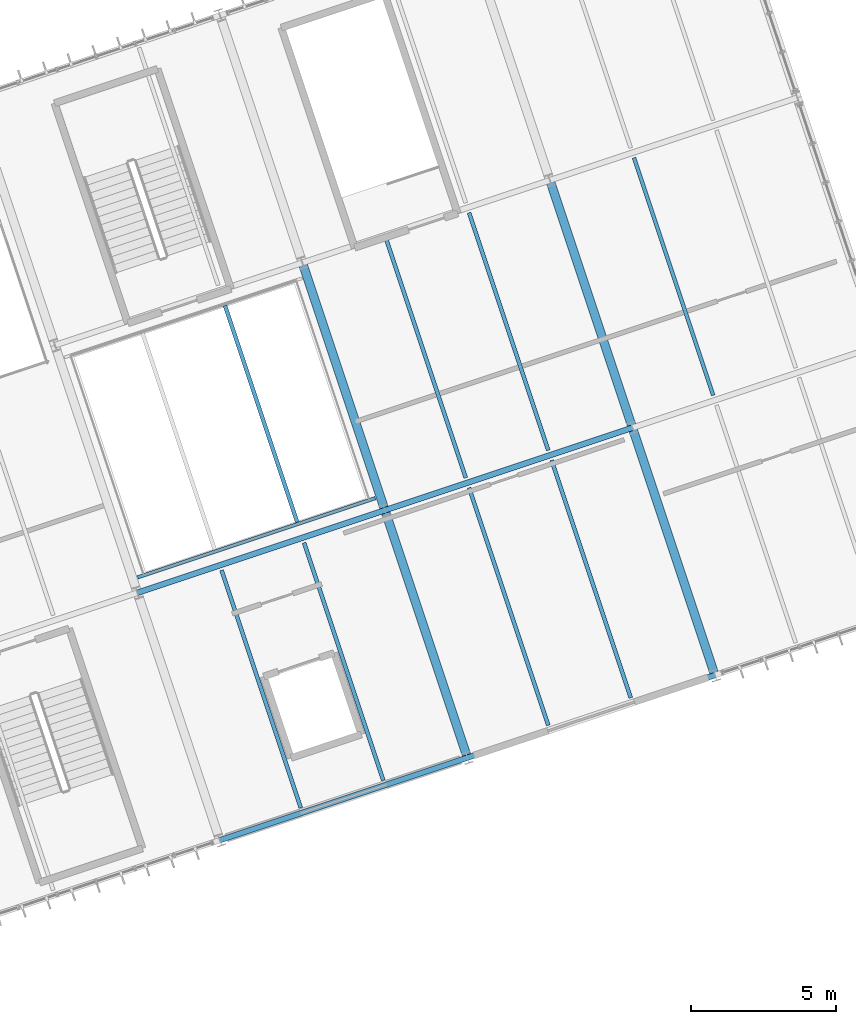
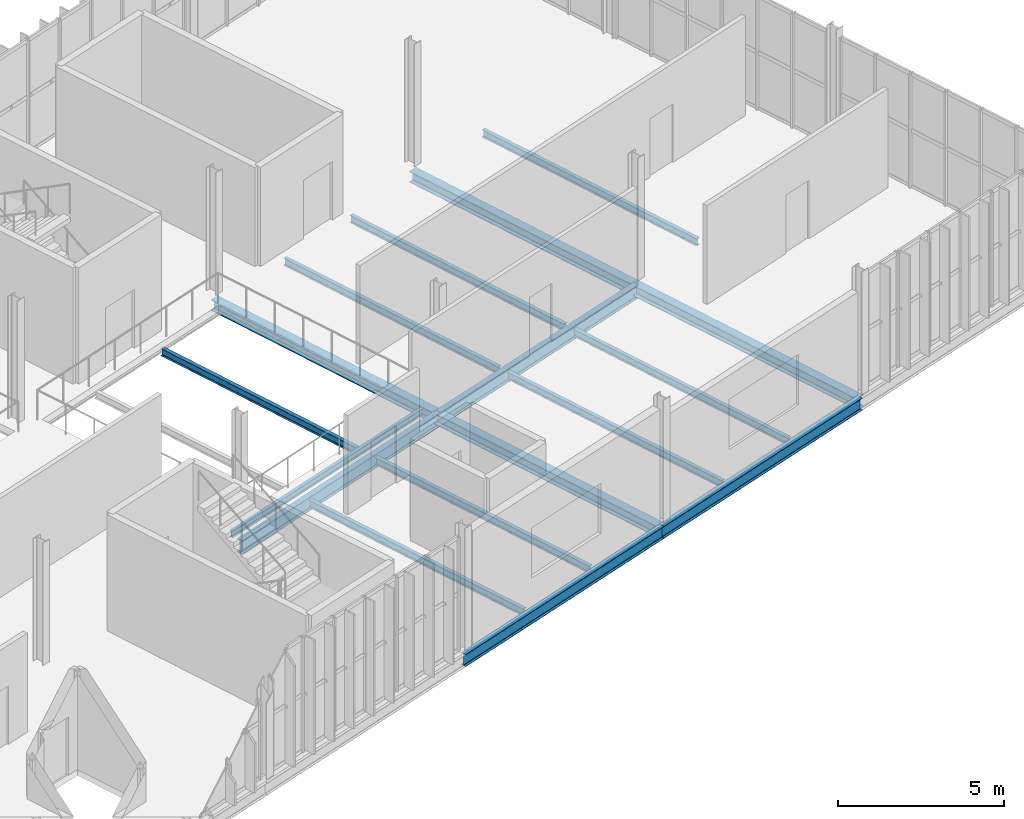
# One storey, part 85 of 152: 17 beams.
"""IFC4 building model written with IfcOpenShell, lengths in metres."""

from ifc_helpers import new_model, si_unit, derived_unit, direction, frame, origin, origin_2d, place, context, subcontext, project, spatial, i_section, extrude, material, material_profile, profile_set, type_object, element, save


model = new_model("IFC4")

# Units and contexts
model_context = context("Model", 3, precision=1e-05, world=origin(), true_north=direction((0.0, 1.0)))
body_context = subcontext(model_context, "Body", "Model", "MODEL_VIEW")
ifc_project = project(units=[si_unit("LENGTHUNIT", "METRE"), si_unit("AREAUNIT", "SQUARE_METRE"), si_unit("VOLUMEUNIT", "CUBIC_METRE"), si_unit("PLANEANGLEUNIT", "RADIAN"), si_unit("MASSUNIT", "GRAM", prefix="KILO"), si_unit("THERMODYNAMICTEMPERATUREUNIT", "KELVIN"), si_unit("TIMEUNIT", "SECOND"), derived_unit("THERMALTRANSMITTANCEUNIT", [(si_unit("MASSUNIT", "GRAM", prefix="KILO"), 1), (si_unit("THERMODYNAMICTEMPERATUREUNIT", "KELVIN"), -1), (si_unit("TIMEUNIT", "SECOND"), -3)])], contexts=[model_context])

# Site, building, storey
site_placement = place(None, origin())
site = spatial("IfcSite", under=ifc_project, at=site_placement, CompositionType="ELEMENT")
building_placement = place(site_placement, origin())
building = spatial("IfcBuilding", under=site, at=building_placement, Name="Cambertide Market Hall", CompositionType="ELEMENT")
storey_placement = place(building_placement, frame((0.0, 0.0, 5.39990234375)))
storey = spatial("IfcBuildingStorey", under=building, at=storey_placement, Name="L02", CompositionType="ELEMENT", Elevation=5.39990234375)

# Beams
ifc_material_1 = material(Name="Steel S355", Category="steel")
ifc_material_profile_1 = material_profile(ifc_material_1, i_section(OverallWidth=0.18994140625, OverallDepth=0.449951171875, WebThickness=0.009521484375, FlangeThickness=0.0146484375, FilletRadius=0.02099609375, at=origin_2d()), Name="IPE 450")
ifc_profile_set_1 = profile_set([ifc_material_profile_1], Name="Steel S355")
beam_type_1 = type_object("IfcBeamType", Name="Perimeter Spandrel Beam IPE 450", PredefinedType="SPANDREL", material=ifc_profile_set_1)
beam_1_placement = place(storey_placement, frame((140.152587890625, 23.38427734375, -0.474853515625), z_axis=(0.948686010717, 0.3162196279, 0.0), x_axis=(-0.3162196279, 0.948686010717, 0.0)))
element("IfcBeam", 1, at=beam_1_placement, inside=storey, type_object=beam_type_1, Name="Level 2 Spandrel BM-V3U-L02-5-1", PredefinedType="SPANDREL", context=body_context, shape_type="SweptSolid", body=[
    extrude(i_section(OverallWidth=0.18994140625, OverallDepth=0.449951171875, WebThickness=0.009521484375, FlangeThickness=0.0146484375, FilletRadius=0.02099609375, at=origin_2d()), origin(), (0.0, 0.0, 1.0), 9.0),
])
beam_2_placement = place(storey_placement, frame((148.690673828125, 26.230224609375, -0.474853515625), z_axis=(0.948680585407, 0.316235903831, 0.0), x_axis=(-0.316235903831, 0.948680585407, 0.0)))
element("IfcBeam", 2, at=beam_2_placement, inside=storey, type_object=beam_type_1, Name="Level 2 Spandrel BM-V3U-L02-6-1", PredefinedType="SPANDREL", context=body_context, shape_type="SweptSolid", body=[
    extrude(i_section(OverallWidth=0.18994140625, OverallDepth=0.449951171875, WebThickness=0.009521484375, FlangeThickness=0.0146484375, FilletRadius=0.02099609375, at=origin_2d()), origin(), (0.0, 0.0, 1.0), 9.000244140625),
])
ifc_material_2 = material(Name="Steel S355", Category="steel")
ifc_material_profile_2 = material_profile(ifc_material_2, i_section(OverallWidth=0.300048828125, OverallDepth=0.39990234375, WebThickness=0.013427734375, FlangeThickness=0.02392578125, FilletRadius=0.027099609375, at=origin_2d()), Name="HEB 400")
ifc_profile_set_2 = profile_set([ifc_material_profile_2], Name="Steel S355")
beam_type_2 = type_object("IfcBeamType", Name="Steel Girder HEB 400", PredefinedType="BEAM", material=ifc_profile_set_2)
beam_3_placement = place(storey_placement, frame((148.690673828125, 26.230224609375, -0.449951171875), z_axis=(-0.3162196279, 0.948686010717, 0.0), x_axis=(-0.948686010717, -0.3162196279, 0.0)))
element("IfcBeam", 3, at=beam_3_placement, inside=storey, type_object=beam_type_2, Name="Level 2 Beam BM-V3V-L02-6-1", PredefinedType="BEAM", context=body_context, shape_type="SweptSolid", body=[
    extrude(i_section(OverallWidth=0.300048828125, OverallDepth=0.39990234375, WebThickness=0.013427734375, FlangeThickness=0.02392578125, FilletRadius=0.027099609375, at=origin_2d()), origin(), (0.0, 0.0, 1.0), 9.0),
])
beam_4_placement = place(storey_placement, frame((145.8447265625, 34.768310546875, -0.449951171875), z_axis=(-0.316235903831, 0.948680585407, 0.0), x_axis=(-0.948680585407, -0.316235903831, 0.0)))
element("IfcBeam", 4, at=beam_4_placement, inside=storey, type_object=beam_type_2, Name="Level 2 Beam BM-V3V-L02-6-2", PredefinedType="BEAM", context=body_context, shape_type="SweptSolid", body=[
    extrude(i_section(OverallWidth=0.300048828125, OverallDepth=0.39990234375, WebThickness=0.013427734375, FlangeThickness=0.02392578125, FilletRadius=0.027099609375, at=origin_2d()), origin(), (0.0, 0.0, 1.0), 9.000244140625),
])
for number, where, z_axis, x_axis, name in (
    (5, (157.22900390625, 29.076416015625, -0.449951171875), (-0.31624404204, 0.948677872554, 0.0), (-0.948677872554, -0.31624404204, 0.0), "Level 2 Beam BM-V3V-L02-7-1"),
    (6, (154.3828125, 37.614501953125, -0.449951171875), (-0.3162196279, 0.948686010717, 0.0), (-0.948686010717, -0.3162196279, 0.0), "Level 2 Beam BM-V3V-L02-7-2"),
):
    element("IfcBeam", number, at=place(storey_placement, frame(where, z_axis=z_axis, x_axis=x_axis)), inside=storey, type_object=beam_type_2, Name=name, PredefinedType="BEAM", context=body_context, shape_type="SweptSolid", body=[
        extrude(i_section(OverallWidth=0.300048828125, OverallDepth=0.39990234375, WebThickness=0.013427734375, FlangeThickness=0.02392578125, FilletRadius=0.027099609375, at=origin_2d()), origin(), (0.0, 0.0, 1.0), 9.0),
    ])
ifc_material_3 = material(Name="Steel S355", Category="steel")
ifc_material_profile_3 = material_profile(ifc_material_3, i_section(OverallWidth=0.199951171875, OverallDepth=0.5, WebThickness=0.01025390625, FlangeThickness=0.01611328125, FilletRadius=0.02099609375, at=origin_2d()), Name="IPE 500")
ifc_profile_set_3 = profile_set([ifc_material_profile_3], Name="Steel S355")
beam_type_3 = type_object("IfcBeamType", Name="Steel Girder IPE 500", PredefinedType="BEAM", material=ifc_profile_set_3)
for number, where, z_axis, x_axis, name in (
    (7, (137.306640625, 31.92236328125, -0.5), (0.948686010717, 0.3162196279, 0.0), (-0.3162196279, 0.948686010717, 0.0), "Level 2 Beam BM-V3U-L02-5-2"),
    (8, (145.8447265625, 34.768310546875, -0.5), (0.948677872554, 0.31624404204, 0.0), (-0.31624404204, 0.948677872554, 0.0), "Level 2 Beam BM-V3U-L02-6-2"),
):
    element("IfcBeam", number, at=place(storey_placement, frame(where, z_axis=z_axis, x_axis=x_axis)), inside=storey, type_object=beam_type_3, Name=name, PredefinedType="BEAM", context=body_context, shape_type="SweptSolid", body=[
        extrude(i_section(OverallWidth=0.199951171875, OverallDepth=0.5, WebThickness=0.01025390625, FlangeThickness=0.01611328125, FilletRadius=0.02099609375, at=origin_2d()), origin(), (0.0, 0.0, 1.0), 9.0),
    ])
ifc_material_4 = material(Name="Steel S275", Category="steel")
ifc_material_profile_4 = material_profile(ifc_material_4, i_section(OverallWidth=0.1201171875, OverallDepth=0.239990234375, WebThickness=0.006103515625, FlangeThickness=0.009765625, FilletRadius=0.014892578125, at=origin_2d()), Name="IPE 240")
ifc_profile_set_4 = profile_set([ifc_material_profile_4], Name="Steel S275")
beam_type_4 = type_object("IfcBeamType", Name="Steel Secondary Joist IPE 240", PredefinedType="JOIST", material=ifc_profile_set_4)
beam_5_placement = place(storey_placement, frame((137.319091796875, 32.45361328125, -0.369873046875), z_axis=(0.94868612367, 0.316219289033, 0.0), x_axis=(-0.316219289033, 0.94868612367, 0.0)))
element("IfcBeam", 9, at=beam_5_placement, inside=storey, type_object=beam_type_4, Name="Level 2 Joist TRIM-V3-ATR-1", PredefinedType="JOIST", context=body_context, shape_type="SweptSolid", body=[
    extrude(i_section(OverallWidth=0.1201171875, OverallDepth=0.239990234375, WebThickness=0.006103515625, FlangeThickness=0.009765625, FilletRadius=0.014892578125, at=origin_2d()), origin(), (0.0, 0.0, 1.0), 8.64013671875),
])
ifc_material_5 = material(Name="Steel S275", Category="steel")
ifc_material_profile_5 = material_profile(ifc_material_5, i_section(OverallWidth=0.135009765625, OverallDepth=0.27001953125, WebThickness=0.006591796875, FlangeThickness=0.01025390625, FilletRadius=0.014892578125, at=origin_2d()), Name="IPE 270")
ifc_profile_set_5 = profile_set([ifc_material_profile_5], Name="Steel S275")
beam_type_5 = type_object("IfcBeamType", Name="Steel Secondary Joist IPE 270", PredefinedType="JOIST", material=ifc_profile_set_5)
for number, where, z_axis, x_axis, name in (
    (10, (142.941650390625, 24.503662109375, -0.385009765625), (-0.316227766017, 0.948683298051, 0.0), (-0.948683298051, -0.316227766017, 0.0), "Level 2 Joist JS-V3-L02-5-1-1"),
    (11, (145.787841796875, 25.452392578125, -0.385009765625), (-0.316227766017, 0.948683298051, 0.0), (-0.948683298051, -0.316227766017, 0.0), "Level 2 Joist JS-V3-L02-5-1-2"),
):
    element("IfcBeam", number, at=place(storey_placement, frame(where, z_axis=z_axis, x_axis=x_axis)), inside=storey, type_object=beam_type_5, Name=name, PredefinedType="JOIST", context=body_context, shape_type="SweptSolid", body=[
        extrude(i_section(OverallWidth=0.135009765625, OverallDepth=0.27001953125, WebThickness=0.006591796875, FlangeThickness=0.01025390625, FilletRadius=0.014892578125, at=origin_2d()), origin(), (0.0, 0.0, 1.0), 8.639892578125),
    ])
beam_6_placement = place(storey_placement, frame((142.820068359375, 34.355712890625, -0.385009765625), z_axis=(-0.316237060713, 0.948680199768, 0.0), x_axis=(-0.948680199768, -0.316237060713, 0.0)))
element("IfcBeam", 12, at=beam_6_placement, inside=storey, type_object=beam_type_5, Name="Level 2 Joist JS-V3-L02-5-2-2", PredefinedType="JOIST", context=body_context, shape_type="SweptSolid", body=[
    extrude(i_section(OverallWidth=0.135009765625, OverallDepth=0.27001953125, WebThickness=0.006591796875, FlangeThickness=0.01025390625, FilletRadius=0.014892578125, at=origin_2d()), origin(), (0.0, 0.0, 1.0), 7.8798828125),
])
for number, where, z_axis, x_axis, name in (
    (13, (151.47998046875, 27.349609375, -0.385009765625), (-0.316244719758, 0.948677646635, 0.0), (-0.948677646635, -0.316244719758, 0.0), "Level 2 Joist JS-V3-L02-6-1-1"),
    (14, (154.325927734375, 28.29833984375, -0.385009765625), (-0.316219289033, 0.94868612367, 0.0), (-0.94868612367, -0.316219289033, 0.0), "Level 2 Joist JS-V3-L02-6-1-2"),
):
    element("IfcBeam", number, at=place(storey_placement, frame(where, z_axis=z_axis, x_axis=x_axis)), inside=storey, type_object=beam_type_5, Name=name, PredefinedType="JOIST", context=body_context, shape_type="SweptSolid", body=[
        extrude(i_section(OverallWidth=0.135009765625, OverallDepth=0.27001953125, WebThickness=0.006591796875, FlangeThickness=0.01025390625, FilletRadius=0.014892578125, at=origin_2d()), origin(), (0.0, 0.0, 1.0), 8.64013671875),
    ])
beam_7_placement = place(storey_placement, frame((148.6337890625, 35.887939453125, -0.385009765625), z_axis=(-0.316227766017, 0.948683298051, 0.0), x_axis=(-0.948683298051, -0.316227766017, 0.0)))
element("IfcBeam", 15, at=beam_7_placement, inside=storey, type_object=beam_type_5, Name="Level 2 Joist JS-V3-L02-6-2-1", PredefinedType="JOIST", context=body_context, shape_type="SweptSolid", body=[
    extrude(i_section(OverallWidth=0.135009765625, OverallDepth=0.27001953125, WebThickness=0.006591796875, FlangeThickness=0.01025390625, FilletRadius=0.014892578125, at=origin_2d()), origin(), (0.0, 0.0, 1.0), 8.639892578125),
])
beam_8_placement = place(storey_placement, frame((151.47998046875, 36.83642578125, -0.385009765625), z_axis=(-0.316244719758, 0.948677646635, 0.0), x_axis=(-0.948677646635, -0.316244719758, 0.0)))
element("IfcBeam", 16, at=beam_8_placement, inside=storey, type_object=beam_type_5, Name="Level 2 Joist JS-V3-L02-6-2-2", PredefinedType="JOIST", context=body_context, shape_type="SweptSolid", body=[
    extrude(i_section(OverallWidth=0.135009765625, OverallDepth=0.27001953125, WebThickness=0.006591796875, FlangeThickness=0.01025390625, FilletRadius=0.014892578125, at=origin_2d()), origin(), (0.0, 0.0, 1.0), 8.64013671875),
])
beam_9_placement = place(storey_placement, frame((157.171875, 38.73388671875, -0.385009765625), z_axis=(-0.316227766017, 0.948683298051, 0.0), x_axis=(-0.948683298051, -0.316227766017, 0.0)))
element("IfcBeam", 17, at=beam_9_placement, inside=storey, type_object=beam_type_5, Name="Level 2 Joist JS-V3-L02-7-2-1", PredefinedType="JOIST", context=body_context, shape_type="SweptSolid", body=[
    extrude(i_section(OverallWidth=0.135009765625, OverallDepth=0.27001953125, WebThickness=0.006591796875, FlangeThickness=0.01025390625, FilletRadius=0.014892578125, at=origin_2d()), origin(), (0.0, 0.0, 1.0), 8.639892578125),
])

save(model, "model.ifc")
